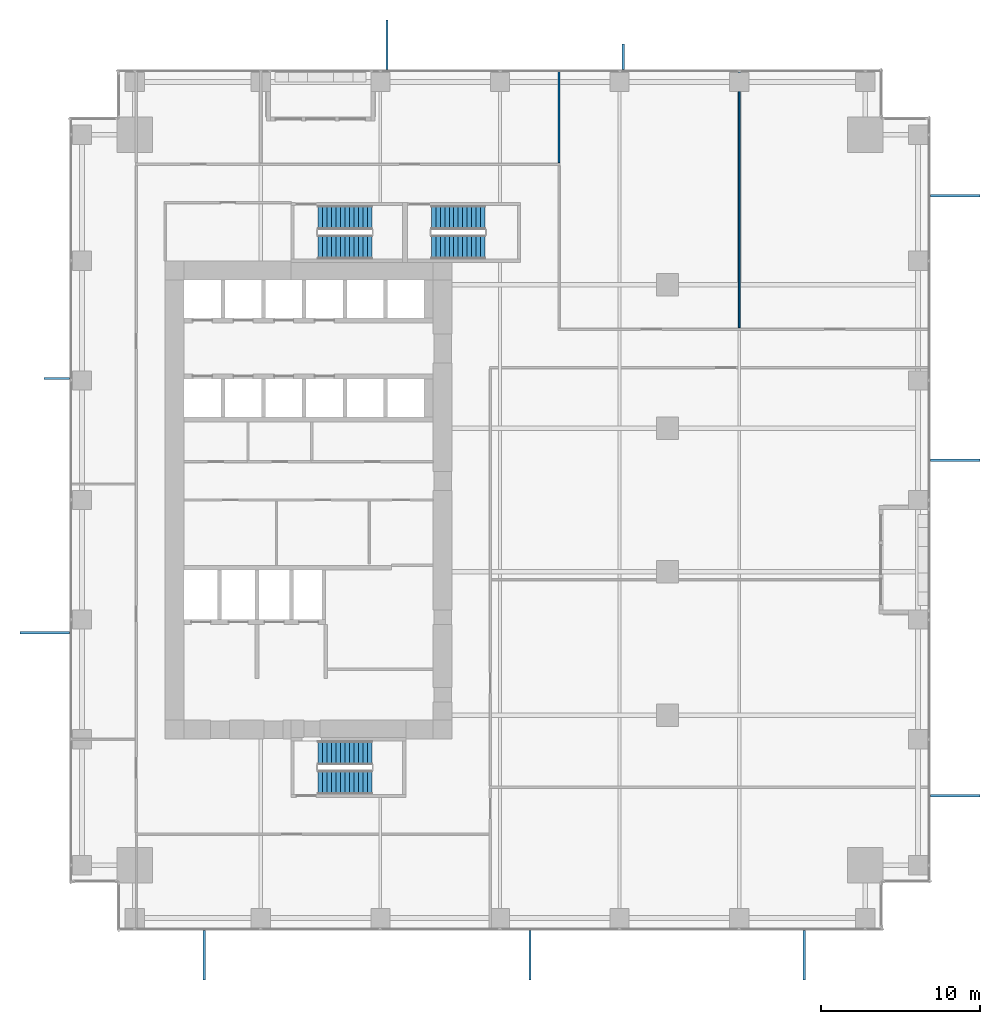
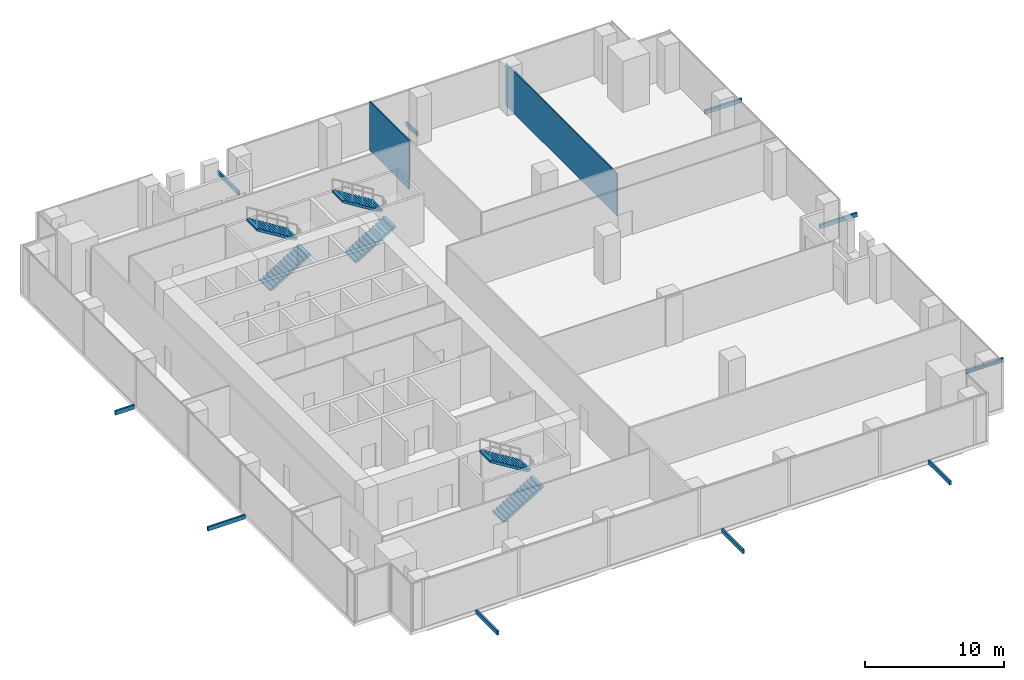
# One storey, part 30 of 33: 10 discrete accessories, 6 stair flights, 2 walls, 3 elements without a shape of their own.
"""IFC4 building model written with IfcOpenShell, lengths in metres."""

from ifc_helpers import new_model, si_unit, direction, frame, frame_2d, origin, origin_2d, place, context, subcontext, project, spatial, polyline, rectangle, outline, extrude, source, transform, mapped, material, layer, layer_set, type_object, element, aggregate, save


model = new_model("IFC4")

# Units and contexts
model_context = context("Model", 3, precision=1e-05, world=origin(), true_north=direction((0.0, 1.0)))
body_context = subcontext(model_context, "Body", "Model", "MODEL_VIEW")
ifc_project = project(units=[si_unit("LENGTHUNIT", "METRE"), si_unit("AREAUNIT", "SQUARE_METRE"), si_unit("VOLUMEUNIT", "CUBIC_METRE"), si_unit("PLANEANGLEUNIT", "RADIAN"), si_unit("MASSUNIT", "GRAM", prefix="KILO")], contexts=[model_context])

# Site, building, storey
site_placement = place(None, origin())
site = spatial("IfcSite", under=ifc_project, at=site_placement, CompositionType="ELEMENT")
building_placement = place(site_placement, origin())
building = spatial("IfcBuilding", under=site, at=building_placement, Name="Khomas Fold Tower", CompositionType="ELEMENT")
storey_placement = place(building_placement, frame((0.0, 0.0, 82.5)))
storey = spatial("IfcBuildingStorey", under=building, at=storey_placement, Name="L17", CompositionType="ELEMENT", Elevation=82.5)

# Walls
ifc_material_1 = material(Name="Plasterboard partition")
ifc_layer = layer(ifc_material_1, 0.10009765625)
ifc_layer_set = layer_set([ifc_layer], Name="Plasterboard partition")
wall_type = type_object("IfcWallType", Name="Partition PW1 100", PredefinedType="PARTITIONING", material=ifc_layer_set)
shared_shape_1 = source(origin(), body_context, "Body", "SweptSolid", [
    extrude(rectangle(XDim=16.050048828125, YDim=0.10009765625, at=frame_2d((8.02490234375, 0.0))), origin(), (0.0, 0.0, 1.0), 3.699951171875),
])
wall_1_placement = place(storey_placement, frame((42.0, 37.800048828125, 0.0), z_axis=(0.0, 0.0, 1.0), x_axis=(0.0, 1.0, 0.0)))
element("IfcWall", 1, at=wall_1_placement, inside=storey, type_object=wall_type, Name="Partition", PredefinedType="PARTITIONING", context=body_context, shape_type="MappedRepresentation", body=[
    mapped(shared_shape_1, transform((0.0, 0.0, 0.0))),
])
shared_shape_2 = source(origin(), body_context, "Body", "SweptSolid", [
    extrude(rectangle(XDim=5.7001953125, YDim=0.10009765625, at=frame_2d((2.85009765625, 0.0))), origin(), (0.0, 0.0, 1.0), 4.300048828125),
])
wall_2_placement = place(storey_placement, frame((30.699951171875, 48.14990234375, 0.0), z_axis=(0.0, 0.0, 1.0), x_axis=(0.0, 1.0, 0.0)))
element("IfcWall", 2, at=wall_2_placement, inside=storey, type_object=wall_type, Name="Partition", PredefinedType="PARTITIONING", context=body_context, shape_type="MappedRepresentation", body=[
    mapped(shared_shape_2, transform((0.0, 0.0, 0.0))),
])

# Stair, stair flights
ifc_material_2 = material(Name="Concrete C40/50", Category="concrete")
stair_type_1 = type_object("IfcStairType", Name="Stair ST1", PredefinedType="HALF_TURN_STAIR", material=ifc_material_2)
stair_1_placement = place(storey_placement, origin())
stair_1 = element("IfcStair", 3, at=stair_1_placement, inside=storey, type_object=stair_type_1, Name="L17 ST1", PredefinedType="HALF_TURN_STAIR")
ifc_material_3 = material(Name="Concrete C40/50", Category="concrete")
stair_flight_type_1 = type_object("IfcStairFlightType", Name="Stair flight 1500 ST1", PredefinedType="STRAIGHT", material=ifc_material_3)
shared_shape_3 = source(origin(), body_context, "Body", "SweptSolid", [
    extrude(outline(polyline([(0.0, 0.0), (0.0, 0.013427734375), (0.0, 0.026611328125), (0.0, 0.0400390625), (0.0, 0.05322265625), (0.0, 0.066650390625), (0.0, 0.079833984375), (0.0, 0.09326171875), (0.0, 0.1064453125), (0.0, 0.119873046875), (0.0, 0.133056640625), (0.0, 0.146484375), (0.0, 0.15966796875), (0.0, 0.173095703125), (0.280029296875, 0.173095703125), (0.280029296875, 0.34619140625), (0.56005859375, 0.34619140625), (0.56005859375, 0.519287109375), (0.840087890625, 0.519287109375), (0.840087890625, 0.6923828125), (1.1201171875, 0.6923828125), (1.1201171875, 0.865478515625), (1.39990234375, 0.865478515625), (1.39990234375, 1.03857421875), (1.679931640625, 1.03857421875), (1.679931640625, 1.21142578125), (1.9599609375, 1.21142578125), (1.9599609375, 1.384521484375), (2.239990234375, 1.384521484375), (2.239990234375, 1.5576171875), (2.52001953125, 1.5576171875), (2.52001953125, 1.730712890625), (2.800048828125, 1.730712890625), (2.800048828125, 1.90380859375), (3.080078125, 1.90380859375), (3.080078125, 2.076904296875), (3.360107421875, 2.076904296875), (3.360107421875, 2.25), (3.360107421875, 2.22314453125), (3.360107421875, 2.1962890625), (3.360107421875, 2.16943359375), (3.360107421875, 2.142578125), (3.360107421875, 2.11572265625), (3.360107421875, 2.0888671875), (3.360107421875, 2.06201171875), (3.360107421875, 2.03515625), (3.360107421875, 2.008056640625), (3.360107421875, 1.981201171875), (3.360107421875, 1.954345703125), (3.360107421875, 1.927490234375), (3.360107421875, 1.900634765625), (0.28515625, 0.0), (0.0, 0.0)])), frame((0.0, 0.75, 0.0), z_axis=(0.0, -1.0, 0.0), x_axis=(1.0, 0.0, 0.0)), (0.0, 0.0, 1.0), 1.5),
])
stair_flight_1_placement = place(storey_placement, frame((15.60009765625, 42.85009765625, 0.0), z_axis=(0.0, 0.0, 1.0), x_axis=(1.0, 0.0, 0.0)))
stair_flight_1 = element("IfcStairFlight", 4, at=stair_flight_1_placement, type_object=stair_flight_type_1, Name="ST1 flight 1", NumberOfRisers=13, NumberOfTreads=12, PredefinedType="STRAIGHT", RiserHeight=0.173076923, TreadLength=0.28, context=body_context, shape_type="MappedRepresentation", body=[
    mapped(shared_shape_3, transform((0.0, 0.0, 0.0))),
])
stair_flight_2_placement = place(storey_placement, frame((18.9599609375, 44.699951171875, 2.25), z_axis=(0.0, 0.0, 1.0), x_axis=(-1.0, 0.0, 0.0)))
stair_flight_2 = element("IfcStairFlight", 5, at=stair_flight_2_placement, type_object=stair_flight_type_1, Name="ST1 flight 2", NumberOfRisers=13, NumberOfTreads=12, PredefinedType="STRAIGHT", RiserHeight=0.173076923, TreadLength=0.28, context=body_context, shape_type="MappedRepresentation", body=[
    mapped(shared_shape_3, transform((0.0, 0.0, 0.0))),
])
aggregate(stair_1, [stair_flight_1, stair_flight_2])

ifc_material_4 = material(Name="Concrete C40/50", Category="concrete")
stair_type_2 = type_object("IfcStairType", Name="Stair ST2", PredefinedType="HALF_TURN_STAIR", material=ifc_material_4)
stair_2_placement = place(storey_placement, origin())
stair_2 = element("IfcStair", 6, at=stair_2_placement, inside=storey, type_object=stair_type_2, Name="L17 ST2", PredefinedType="HALF_TURN_STAIR")
ifc_material_5 = material(Name="Concrete C40/50", Category="concrete")
stair_flight_type_2 = type_object("IfcStairFlightType", Name="Stair flight 1500 ST2", PredefinedType="STRAIGHT", material=ifc_material_5)
stair_flight_3_placement = place(storey_placement, frame((15.60009765625, 9.300048828125, 0.0), z_axis=(0.0, 0.0, 1.0), x_axis=(1.0, 0.0, 0.0)))
stair_flight_3 = element("IfcStairFlight", 7, at=stair_flight_3_placement, type_object=stair_flight_type_2, Name="ST2 flight 1", NumberOfRisers=13, NumberOfTreads=12, PredefinedType="STRAIGHT", RiserHeight=0.173076923, TreadLength=0.28, context=body_context, shape_type="MappedRepresentation", body=[
    mapped(shared_shape_3, transform((0.0, 0.0, 0.0))),
])
stair_flight_4_placement = place(storey_placement, frame((18.9599609375, 11.14990234375, 2.25), z_axis=(0.0, 0.0, 1.0), x_axis=(-1.0, 0.0, 0.0)))
stair_flight_4 = element("IfcStairFlight", 8, at=stair_flight_4_placement, type_object=stair_flight_type_2, Name="ST2 flight 2", NumberOfRisers=13, NumberOfTreads=12, PredefinedType="STRAIGHT", RiserHeight=0.173076923, TreadLength=0.28, context=body_context, shape_type="MappedRepresentation", body=[
    mapped(shared_shape_3, transform((0.0, 0.0, 0.0))),
])
aggregate(stair_2, [stair_flight_3, stair_flight_4])

ifc_material_6 = material(Name="Concrete C40/50", Category="concrete")
stair_type_3 = type_object("IfcStairType", Name="Stair ST3", PredefinedType="HALF_TURN_STAIR", material=ifc_material_6)
stair_3_placement = place(storey_placement, origin())
stair_3 = element("IfcStair", 9, at=stair_3_placement, inside=storey, type_object=stair_type_3, Name="L17 ST3", PredefinedType="HALF_TURN_STAIR")
ifc_material_7 = material(Name="Concrete C40/50", Category="concrete")
stair_flight_type_3 = type_object("IfcStairFlightType", Name="Stair flight 1500 ST3", PredefinedType="STRAIGHT", material=ifc_material_7)
stair_flight_5_placement = place(storey_placement, frame((22.699951171875, 42.85009765625, 0.0), z_axis=(0.0, 0.0, 1.0), x_axis=(1.0, 0.0, 0.0)))
stair_flight_5 = element("IfcStairFlight", 10, at=stair_flight_5_placement, type_object=stair_flight_type_3, Name="ST3 flight 1", NumberOfRisers=13, NumberOfTreads=12, PredefinedType="STRAIGHT", RiserHeight=0.173076923, TreadLength=0.28, context=body_context, shape_type="MappedRepresentation", body=[
    mapped(shared_shape_3, transform((0.0, 0.0, 0.0))),
])
stair_flight_6_placement = place(storey_placement, frame((26.06005859375, 44.699951171875, 2.25), z_axis=(0.0, 0.0, 1.0), x_axis=(-1.0, 0.0, 0.0)))
stair_flight_6 = element("IfcStairFlight", 11, at=stair_flight_6_placement, type_object=stair_flight_type_3, Name="ST3 flight 2", NumberOfRisers=13, NumberOfTreads=12, PredefinedType="STRAIGHT", RiserHeight=0.173076923, TreadLength=0.28, context=body_context, shape_type="MappedRepresentation", body=[
    mapped(shared_shape_3, transform((0.0, 0.0, 0.0))),
])
aggregate(stair_3, [stair_flight_5, stair_flight_6])

# Discrete accessories
ifc_material_8 = material(Name="Stainless steel", Category="steel")
discrete_accessory_type = type_object("IfcDiscreteAccessoryType", Name="SK-Stainless steel stone bracket", PredefinedType="BRACKET", material=ifc_material_8)
shared_shape_4 = source(origin(), body_context, "Body", "SweptSolid", [
    extrude(rectangle(XDim=3.09423828125, YDim=0.14990234375, at=origin_2d()), origin(), (0.0, 0.0, 1.0), 0.360107421875),
])
for number, where, z_axis, x_axis, name in (
    (12, (8.454345703125, -1.547119140625, -0.30029296875), (0.0, 0.0, 1.0), (0.0, -1.0, 0.0), "Stone bracket L17 SS03-1-4"),
    (13, (28.877685546875, -1.547119140625, -0.30029296875), (0.0, 0.0, 1.0), (0.0, -1.0, 0.0), "Stone bracket L17 SS06-2-4"),
    (14, (46.063720703125, -1.547119140625, -0.30029296875), (0.0, 0.0, 1.0), (0.0, -1.0, 0.0), "Stone bracket L17 SS09-3-4"),
    (15, (55.547119140625, 8.454345703125, -0.30029296875), (0.0, 0.0, 1.0), (1.0, 0.0, 0.0), "Stone bracket L17 ES03-1-3"),
    (16, (55.547119140625, 29.498779296875, -0.30029296875), (0.0, 0.0, 1.0), (1.0, 0.0, 0.0), "Stone bracket L17 ES06-2-3"),
    (17, (55.547119140625, 46.063720703125, -0.30029296875), (0.0, 0.0, 1.0), (1.0, 0.0, 0.0), "Stone bracket L17 ES09-3-3"),
    (18, (19.91552734375, 55.547119140625, -0.30029296875), (0.0, 0.0, 1.0), (0.0, 1.0, 0.0), "Stone bracket L17 NS05-1-3"),
    (19, (-1.547119140625, 18.68115234375, -0.30029296875), (0.0, 0.0, 1.0), (-1.0, 0.0, 0.0), "Stone bracket L17 WS05-1-3"),
):
    element("IfcDiscreteAccessory", number, at=place(storey_placement, frame(where, z_axis=z_axis, x_axis=x_axis)), inside=storey, type_object=discrete_accessory_type, Name=name, PredefinedType="BRACKET", context=body_context, shape_type="MappedRepresentation", body=[
        mapped(shared_shape_4, transform((0.0, 0.0, 0.0))),
    ])
shared_shape_5 = source(origin(), body_context, "Body", "SweptSolid", [
    extrude(rectangle(XDim=1.57568359375, YDim=0.14990234375, at=origin_2d()), origin(), (0.0, 0.0, 1.0), 0.360107421875),
])
for number, where, z_axis, x_axis, name in (
    (20, (34.7333984375, 54.787841796875, -0.30029296875), (0.0, 0.0, 1.0), (0.0, 1.0, 0.0), "Stone bracket L17 NS08-2-3"),
    (21, (-0.787841796875, 34.61474609375, -0.30029296875), (0.0, 0.0, 1.0), (-1.0, 0.0, 0.0), "Stone bracket L17 WS08-2-3"),
):
    element("IfcDiscreteAccessory", number, at=place(storey_placement, frame(where, z_axis=z_axis, x_axis=x_axis)), inside=storey, type_object=discrete_accessory_type, Name=name, PredefinedType="BRACKET", context=body_context, shape_type="MappedRepresentation", body=[
        mapped(shared_shape_5, transform((0.0, 0.0, 0.0))),
    ])

save(model, "model.ifc")
